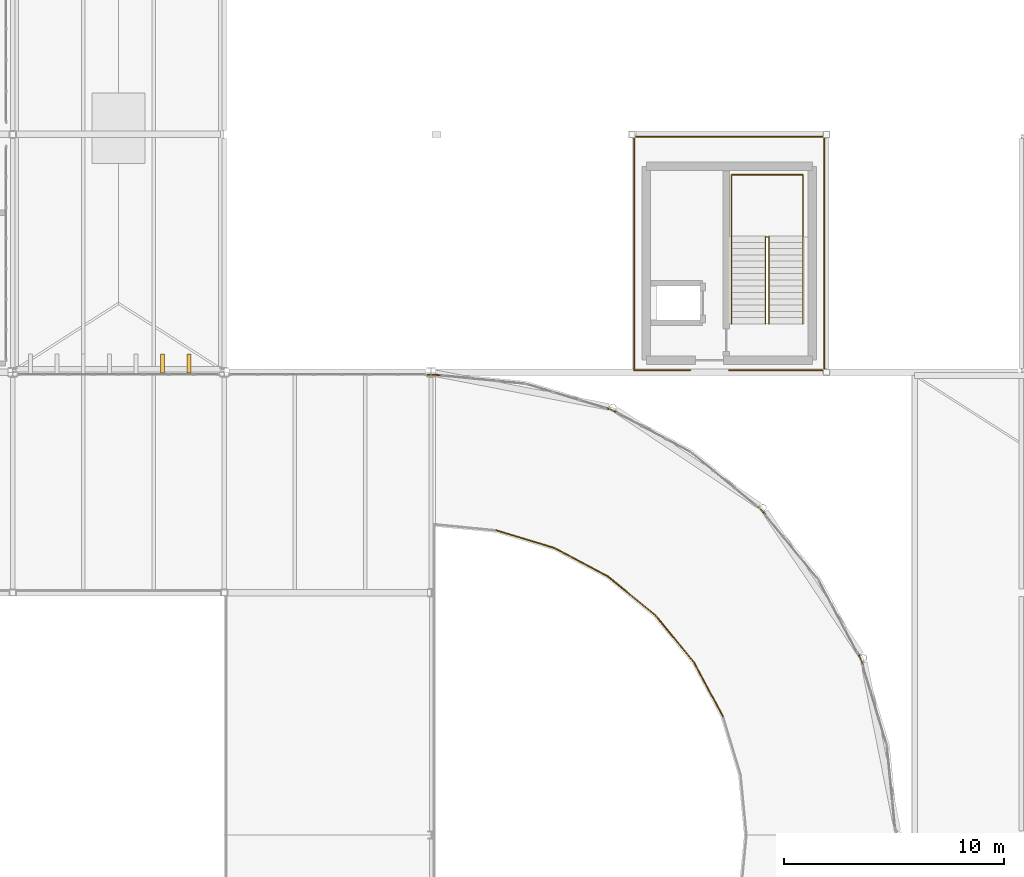
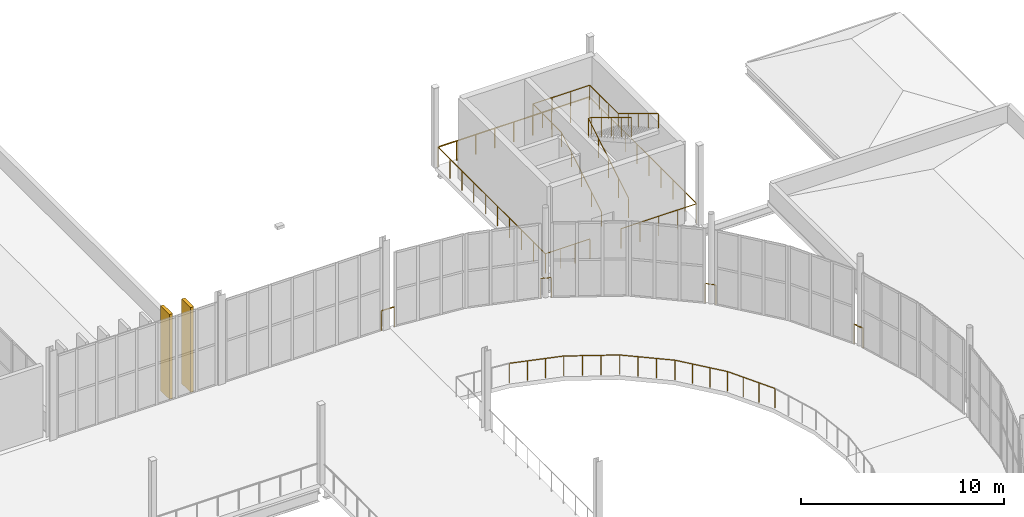
# One storey, part 112 of 112: 16 railings, 2 coverings.
"""IFC4 building model written with IfcOpenShell, lengths in metres."""

from ifc_helpers import new_model, si_unit, direction, frame, origin, origin_2d, place, context, subcontext, project, spatial, rectangle, circle, extrude, material, layer, layer_set, type_object, element, save


model = new_model("IFC4")

# Units and contexts
model_context = context("Model", 3, precision=1e-05, world=origin(), true_north=direction((0.0, 1.0)))
body_context = subcontext(model_context, "Body", "Model", "MODEL_VIEW")
ifc_project = project(units=[si_unit("LENGTHUNIT", "METRE"), si_unit("AREAUNIT", "SQUARE_METRE"), si_unit("VOLUMEUNIT", "CUBIC_METRE"), si_unit("PLANEANGLEUNIT", "RADIAN"), si_unit("MASSUNIT", "GRAM", prefix="KILO")], contexts=[model_context])

# Site, building, storey
site_placement = place(None, origin())
site = spatial("IfcSite", under=ifc_project, at=site_placement, CompositionType="ELEMENT")
building_placement = place(site_placement, origin())
building = spatial("IfcBuilding", under=site, at=building_placement, Name="Yeouljin Market Hall", CompositionType="ELEMENT")
storey_placement = place(building_placement, frame((0.0, 0.0, 6.0)))
storey = spatial("IfcBuildingStorey", under=building, at=storey_placement, Name="L01", CompositionType="ELEMENT", Elevation=6.0)

# Coverings
ifc_material_1 = material(Name="White Limestone and Bronze Solar Fin", Category="masonry")
ifc_layer = layer(ifc_material_1, 0.179931640625)
ifc_layer_set = layer_set([ifc_layer], Name="White Limestone and Bronze Solar Fin")
covering_type = type_object("IfcCoveringType", Name="Covering_Limestone_SolarFin", PredefinedType="CLADDING", material=ifc_layer_set)
for number, where, z_axis, x_axis, name in (
    (1, (128.60009765625, 78.39990234375, 0.009765625), (0.0, 0.0, 1.0), (1.0, 0.0, 0.0), "Hall north vertical lantern fin 078"),
    (2, (129.800048828125, 78.39990234375, 0.009765625), (0.0, 0.0, 1.0), (1.0, 0.0, 0.0), "Hall north vertical lantern fin 079"),
):
    element("IfcCovering", number, at=place(storey_placement, frame(where, z_axis=z_axis, x_axis=x_axis)), inside=storey, type_object=covering_type, Name=name, PredefinedType="CLADDING", context=body_context, shape_type="SweptSolid", body=[
        extrude(rectangle(XDim=0.179931640625, YDim=0.8798828125, at=origin_2d()), origin(), (0.0, 0.0, 1.0), 5.110107421875),
    ])

# Railings
ifc_material_2 = material(Name="Wrought Iron and Bronze Gallery Balustrade")
railing_type_1 = type_object("IfcRailingType", Name="Railing_AtriumBalustrade_1200", PredefinedType="BALUSTRADE", material=ifc_material_2)
railing_1_placement = place(storey_placement, frame((140.550048828125, 77.89990234375, 0.0)))
element("IfcRailing", 3, at=railing_1_placement, inside=storey, type_object=railing_type_1, Name="Gallery & deck edge balustrade L01-081", PredefinedType="BALUSTRADE", context=body_context, shape_type="SweptSolid", body=[
    extrude(circle(Radius=0.02392578125, at=origin_2d()), frame((0.0, 0.0, 1.17578125), z_axis=(0.999262160943, -0.038407469421, 0.0), x_axis=(0.038407469421, 0.999262160943, 0.0)), (0.0, 0.0, 1.0), 0.73095703125),
    extrude(circle(Radius=0.02099609375, at=origin_2d()), origin(), (0.0, 0.0, 1.0), 1.15185546875),
    extrude(circle(Radius=0.02099609375, at=origin_2d()), frame((0.73046875, -0.028076171875, 0.0)), (0.0, 0.0, 1.0), 1.15185546875),
])
railing_2_placement = place(storey_placement, frame((148.72802734375, 76.390380859375, 0.0)))
element("IfcRailing", 4, at=railing_2_placement, inside=storey, type_object=railing_type_1, Name="Gallery & deck edge balustrade L01-082", PredefinedType="BALUSTRADE", context=body_context, shape_type="SweptSolid", body=[
    extrude(circle(Radius=0.02392578125, at=origin_2d()), frame((0.0, 0.0, 1.17578125), z_axis=(0.924000932097, -0.382390216249, 0.0), x_axis=(0.382390216249, 0.924000932097, 0.0)), (0.0, 0.0, 1.0), 0.561279296875),
    extrude(circle(Radius=0.02099609375, at=origin_2d()), origin(), (0.0, 0.0, 1.0), 1.15185546875),
    extrude(circle(Radius=0.02099609375, at=origin_2d()), frame((0.5185546875, -0.214599609375, 0.0)), (0.0, 0.0, 1.0), 1.15185546875),
])
railing_3_placement = place(storey_placement, frame((155.560302734375, 71.95703125, 0.0)))
element("IfcRailing", 5, at=railing_3_placement, inside=storey, type_object=railing_type_1, Name="Gallery & deck edge balustrade L01-083", PredefinedType="BALUSTRADE", context=body_context, shape_type="SweptSolid", body=[
    extrude(circle(Radius=0.02392578125, at=origin_2d()), frame((0.0, 0.0, 1.17578125), z_axis=(0.707106781187, -0.707106781187, 0.0), x_axis=(0.707106781187, 0.707106781187, 0.0)), (0.0, 0.0, 1.0), 0.56103515625),
    extrude(circle(Radius=0.02099609375, at=origin_2d()), origin(), (0.0, 0.0, 1.0), 1.15185546875),
    extrude(circle(Radius=0.02099609375, at=origin_2d()), frame((0.396728515625, -0.396728515625, 0.0)), (0.0, 0.0, 1.0), 1.15185546875),
])
railing_4_placement = place(storey_placement, frame((160.17578125, 65.24658203125, 0.0)))
element("IfcRailing", 6, at=railing_4_placement, inside=storey, type_object=railing_type_1, Name="Gallery & deck edge balustrade L01-084", PredefinedType="BALUSTRADE", context=body_context, shape_type="SweptSolid", body=[
    extrude(circle(Radius=0.02392578125, at=origin_2d()), frame((0.0, 0.0, 1.17578125), z_axis=(0.382390216249, -0.924000932097, 0.0), x_axis=(0.924000932097, 0.382390216249, 0.0)), (0.0, 0.0, 1.0), 0.561279296875),
    extrude(circle(Radius=0.02099609375, at=origin_2d()), origin(), (0.0, 0.0, 1.0), 1.15185546875),
    extrude(circle(Radius=0.02099609375, at=origin_2d()), frame((0.214599609375, -0.5185546875, 0.0)), (0.0, 0.0, 1.0), 1.15185546875),
])
railing_5_placement = place(storey_placement, frame((154.027099609375, 62.39599609375, 0.0)))
element("IfcRailing", 7, at=railing_5_placement, inside=storey, type_object=railing_type_1, Name="Gallery & deck edge balustrade L01-110", PredefinedType="BALUSTRADE", context=body_context, shape_type="SweptSolid", body=[
    extrude(circle(Radius=0.02392578125, at=origin_2d()), frame((0.0, 0.0, 1.17578125), z_axis=(-0.471390300343, 0.88192470469, 0.0), x_axis=(-0.88192470469, -0.471390300343, 0.0)), (0.0, 0.0, 1.0), 2.76416015625),
    extrude(circle(Radius=0.02099609375, at=origin_2d()), origin(), (0.0, 0.0, 1.0), 1.15185546875),
    extrude(circle(Radius=0.02099609375, at=origin_2d()), frame((-0.434326171875, 0.8125, 0.0)), (0.0, 0.0, 1.0), 1.15185546875),
    extrude(circle(Radius=0.02099609375, at=origin_2d()), frame((-0.86865234375, 1.625244140625, 0.0)), (0.0, 0.0, 1.0), 1.15185546875),
    extrude(circle(Radius=0.02099609375, at=origin_2d()), frame((-1.302978515625, 2.437744140625, 0.0)), (0.0, 0.0, 1.0), 1.15185546875),
])
railing_6_placement = place(storey_placement, frame((152.72412109375, 64.833740234375, 0.0)))
element("IfcRailing", 8, at=railing_6_placement, inside=storey, type_object=railing_type_1, Name="Gallery & deck edge balustrade L01-111", PredefinedType="BALUSTRADE", context=body_context, shape_type="SweptSolid", body=[
    extrude(circle(Radius=0.02392578125, at=origin_2d()), frame((0.0, 0.0, 1.17578125), z_axis=(-0.634319318556, 0.773071149446, 0.0), x_axis=(-0.773071149446, -0.634319318556, 0.0)), (0.0, 0.0, 1.0), 2.76416015625),
    extrude(circle(Radius=0.02099609375, at=origin_2d()), origin(), (0.0, 0.0, 1.0), 1.15185546875),
    extrude(circle(Radius=0.02099609375, at=origin_2d()), frame((-0.58447265625, 0.71240234375, 0.0)), (0.0, 0.0, 1.0), 1.15185546875),
    extrude(circle(Radius=0.02099609375, at=origin_2d()), frame((-1.1689453125, 1.424560546875, 0.0)), (0.0, 0.0, 1.0), 1.15185546875),
    extrude(circle(Radius=0.02099609375, at=origin_2d()), frame((-1.75341796875, 2.136962890625, 0.0)), (0.0, 0.0, 1.0), 1.15185546875),
])
railing_7_placement = place(storey_placement, frame((150.970703125, 66.970703125, 0.0)))
element("IfcRailing", 9, at=railing_7_placement, inside=storey, type_object=railing_type_1, Name="Gallery & deck edge balustrade L01-112", PredefinedType="BALUSTRADE", context=body_context, shape_type="SweptSolid", body=[
    extrude(circle(Radius=0.02392578125, at=origin_2d()), frame((0.0, 0.0, 1.17578125), z_axis=(-0.773071149446, 0.634319318556, 0.0), x_axis=(-0.634319318556, -0.773071149446, 0.0)), (0.0, 0.0, 1.0), 2.76416015625),
    extrude(circle(Radius=0.02099609375, at=origin_2d()), origin(), (0.0, 0.0, 1.0), 1.15185546875),
    extrude(circle(Radius=0.02099609375, at=origin_2d()), frame((-0.71240234375, 0.58447265625, 0.0)), (0.0, 0.0, 1.0), 1.15185546875),
    extrude(circle(Radius=0.02099609375, at=origin_2d()), frame((-1.424560546875, 1.1689453125, 0.0)), (0.0, 0.0, 1.0), 1.15185546875),
    extrude(circle(Radius=0.02099609375, at=origin_2d()), frame((-2.136962890625, 1.75341796875, 0.0)), (0.0, 0.0, 1.0), 1.15185546875),
])
railing_8_placement = place(storey_placement, frame((148.833740234375, 68.72412109375, 0.0)))
element("IfcRailing", 10, at=railing_8_placement, inside=storey, type_object=railing_type_1, Name="Gallery & deck edge balustrade L01-113", PredefinedType="BALUSTRADE", context=body_context, shape_type="SweptSolid", body=[
    extrude(circle(Radius=0.02392578125, at=origin_2d()), frame((0.0, 0.0, 1.17578125), z_axis=(-0.88192470469, 0.471390300343, 0.0), x_axis=(-0.471390300343, -0.88192470469, 0.0)), (0.0, 0.0, 1.0), 2.76416015625),
    extrude(circle(Radius=0.02099609375, at=origin_2d()), origin(), (0.0, 0.0, 1.0), 1.15185546875),
    extrude(circle(Radius=0.02099609375, at=origin_2d()), frame((-0.8125, 0.434326171875, 0.0)), (0.0, 0.0, 1.0), 1.15185546875),
    extrude(circle(Radius=0.02099609375, at=origin_2d()), frame((-1.625244140625, 0.86865234375, 0.0)), (0.0, 0.0, 1.0), 1.15185546875),
    extrude(circle(Radius=0.02099609375, at=origin_2d()), frame((-2.437744140625, 1.302978515625, 0.0)), (0.0, 0.0, 1.0), 1.15185546875),
])
railing_9_placement = place(storey_placement, frame((146.39599609375, 70.027099609375, 0.0)))
element("IfcRailing", 11, at=railing_9_placement, inside=storey, type_object=railing_type_1, Name="Gallery & deck edge balustrade L01-114", PredefinedType="BALUSTRADE", context=body_context, shape_type="SweptSolid", body=[
    extrude(circle(Radius=0.02392578125, at=origin_2d()), frame((0.0, 0.0, 1.17578125), z_axis=(-0.956927035632, 0.290328518195, 0.0), x_axis=(-0.290328518195, -0.956927035632, 0.0)), (0.0, 0.0, 1.0), 2.76416015625),
    extrude(circle(Radius=0.02099609375, at=origin_2d()), origin(), (0.0, 0.0, 1.0), 1.15185546875),
    extrude(circle(Radius=0.02099609375, at=origin_2d()), frame((-0.881591796875, 0.267578125, 0.0)), (0.0, 0.0, 1.0), 1.15185546875),
    extrude(circle(Radius=0.02099609375, at=origin_2d()), frame((-1.763427734375, 0.534912109375, 0.0)), (0.0, 0.0, 1.0), 1.15185546875),
    extrude(circle(Radius=0.02099609375, at=origin_2d()), frame((-2.64501953125, 0.802490234375, 0.0)), (0.0, 0.0, 1.0), 1.15185546875),
])
railing_10_placement = place(storey_placement, frame((150.010009765625, 88.699951171875, 0.0)))
element("IfcRailing", 12, at=railing_10_placement, inside=storey, type_object=railing_type_1, Name="Gallery & deck edge balustrade L01-140", PredefinedType="BALUSTRADE", context=body_context, shape_type="SweptSolid", body=[
    extrude(circle(Radius=0.02392578125, at=origin_2d()), frame((0.0, 0.0, 1.17578125), z_axis=(1.0, 0.0, 0.0), x_axis=(0.0, 1.0, 0.0)), (0.0, 0.0, 1.0), 8.6298828125),
    extrude(circle(Radius=0.02099609375, at=origin_2d()), origin(), (0.0, 0.0, 1.0), 1.15185546875),
    extrude(circle(Radius=0.02099609375, at=origin_2d()), frame((1.07861328125, 0.0, 0.0)), (0.0, 0.0, 1.0), 1.15185546875),
    extrude(circle(Radius=0.02099609375, at=origin_2d()), frame((2.157470703125, 0.0, 0.0)), (0.0, 0.0, 1.0), 1.15185546875),
    extrude(circle(Radius=0.02099609375, at=origin_2d()), frame((3.236328125, 0.0, 0.0)), (0.0, 0.0, 1.0), 1.15185546875),
    extrude(circle(Radius=0.02099609375, at=origin_2d()), frame((4.31494140625, 0.0, 0.0)), (0.0, 0.0, 1.0), 1.15185546875),
    extrude(circle(Radius=0.02099609375, at=origin_2d()), frame((5.3935546875, 0.0, 0.0)), (0.0, 0.0, 1.0), 1.15185546875),
    extrude(circle(Radius=0.02099609375, at=origin_2d()), frame((6.472412109375, 0.0, 0.0)), (0.0, 0.0, 1.0), 1.15185546875),
    extrude(circle(Radius=0.02099609375, at=origin_2d()), frame((7.55126953125, 0.0, 0.0)), (0.0, 0.0, 1.0), 1.15185546875),
    extrude(circle(Radius=0.02099609375, at=origin_2d()), frame((8.6298828125, 0.0, 0.0)), (0.0, 0.0, 1.0), 1.15185546875),
])
railing_11_placement = place(storey_placement, frame((158.639892578125, 88.699951171875, 0.0)))
element("IfcRailing", 13, at=railing_11_placement, inside=storey, type_object=railing_type_1, Name="Gallery & deck edge balustrade L01-141", PredefinedType="BALUSTRADE", context=body_context, shape_type="SweptSolid", body=[
    extrude(circle(Radius=0.02392578125, at=origin_2d()), frame((0.0, 0.0, 1.17578125), z_axis=(0.0, -1.0, 0.0), x_axis=(1.0, 0.0, 0.0)), (0.0, 0.0, 1.0), 10.599853515625),
    extrude(circle(Radius=0.02099609375, at=origin_2d()), origin(), (0.0, 0.0, 1.0), 1.15185546875),
    extrude(circle(Radius=0.02099609375, at=origin_2d()), frame((0.0, -1.177734375, 0.0)), (0.0, 0.0, 1.0), 1.15185546875),
    extrude(circle(Radius=0.02099609375, at=origin_2d()), frame((0.0, -2.35546875, 0.0)), (0.0, 0.0, 1.0), 1.15185546875),
    extrude(circle(Radius=0.02099609375, at=origin_2d()), frame((0.0, -3.533203125, 0.0)), (0.0, 0.0, 1.0), 1.15185546875),
    extrude(circle(Radius=0.02099609375, at=origin_2d()), frame((0.0, -4.7109375, 0.0)), (0.0, 0.0, 1.0), 1.15185546875),
    extrude(circle(Radius=0.02099609375, at=origin_2d()), frame((0.0, -5.888916015625, 0.0)), (0.0, 0.0, 1.0), 1.15185546875),
    extrude(circle(Radius=0.02099609375, at=origin_2d()), frame((0.0, -7.066650390625, 0.0)), (0.0, 0.0, 1.0), 1.15185546875),
    extrude(circle(Radius=0.02099609375, at=origin_2d()), frame((0.0, -8.244384765625, 0.0)), (0.0, 0.0, 1.0), 1.15185546875),
    extrude(circle(Radius=0.02099609375, at=origin_2d()), frame((0.0, -9.422119140625, 0.0)), (0.0, 0.0, 1.0), 1.15185546875),
    extrude(circle(Radius=0.02099609375, at=origin_2d()), frame((0.0, -10.599853515625, 0.0)), (0.0, 0.0, 1.0), 1.15185546875),
])
railing_12_placement = place(storey_placement, frame((158.639892578125, 78.10009765625, 0.0)))
element("IfcRailing", 14, at=railing_12_placement, inside=storey, type_object=railing_type_1, Name="Gallery & deck edge balustrade L01-142", PredefinedType="BALUSTRADE", context=body_context, shape_type="SweptSolid", body=[
    extrude(circle(Radius=0.02392578125, at=origin_2d()), frame((0.0, 0.0, 1.17578125), z_axis=(-1.0, 0.0, 0.0), x_axis=(0.0, -1.0, 0.0)), (0.0, 0.0, 1.0), 4.328857421875),
    extrude(circle(Radius=0.02099609375, at=origin_2d()), origin(), (0.0, 0.0, 1.0), 1.15185546875),
    extrude(circle(Radius=0.02099609375, at=origin_2d()), frame((-1.082275390625, 0.0, 0.0)), (0.0, 0.0, 1.0), 1.15185546875),
    extrude(circle(Radius=0.02099609375, at=origin_2d()), frame((-2.16455078125, 0.0, 0.0)), (0.0, 0.0, 1.0), 1.15185546875),
    extrude(circle(Radius=0.02099609375, at=origin_2d()), frame((-3.24658203125, 0.0, 0.0)), (0.0, 0.0, 1.0), 1.15185546875),
    extrude(circle(Radius=0.02099609375, at=origin_2d()), frame((-4.328857421875, 0.0, 0.0)), (0.0, 0.0, 1.0), 1.15185546875),
])
railing_13_placement = place(storey_placement, frame((152.549072265625, 78.10009765625, 0.0)))
element("IfcRailing", 15, at=railing_13_placement, inside=storey, type_object=railing_type_1, Name="Gallery & deck edge balustrade L01-143", PredefinedType="BALUSTRADE", context=body_context, shape_type="SweptSolid", body=[
    extrude(circle(Radius=0.02392578125, at=origin_2d()), frame((0.0, 0.0, 1.17578125), z_axis=(-1.0, 0.0, 0.0), x_axis=(0.0, -1.0, 0.0)), (0.0, 0.0, 1.0), 2.5390625),
    extrude(circle(Radius=0.02099609375, at=origin_2d()), origin(), (0.0, 0.0, 1.0), 1.15185546875),
    extrude(circle(Radius=0.02099609375, at=origin_2d()), frame((-0.846435546875, 0.0, 0.0)), (0.0, 0.0, 1.0), 1.15185546875),
    extrude(circle(Radius=0.02099609375, at=origin_2d()), frame((-1.692626953125, 0.0, 0.0)), (0.0, 0.0, 1.0), 1.15185546875),
    extrude(circle(Radius=0.02099609375, at=origin_2d()), frame((-2.5390625, 0.0, 0.0)), (0.0, 0.0, 1.0), 1.15185546875),
])
railing_14_placement = place(storey_placement, frame((150.010009765625, 78.10009765625, 0.0)))
element("IfcRailing", 16, at=railing_14_placement, inside=storey, type_object=railing_type_1, Name="Gallery & deck edge balustrade L01-144", PredefinedType="BALUSTRADE", context=body_context, shape_type="SweptSolid", body=[
    extrude(circle(Radius=0.02392578125, at=origin_2d()), frame((0.0, 0.0, 1.17578125), z_axis=(0.0, 1.0, 0.0), x_axis=(-1.0, 0.0, 0.0)), (0.0, 0.0, 1.0), 10.599853515625),
    extrude(circle(Radius=0.02099609375, at=origin_2d()), origin(), (0.0, 0.0, 1.0), 1.15185546875),
    extrude(circle(Radius=0.02099609375, at=origin_2d()), frame((0.0, 1.177734375, 0.0)), (0.0, 0.0, 1.0), 1.15185546875),
    extrude(circle(Radius=0.02099609375, at=origin_2d()), frame((0.0, 2.35546875, 0.0)), (0.0, 0.0, 1.0), 1.15185546875),
    extrude(circle(Radius=0.02099609375, at=origin_2d()), frame((0.0, 3.533203125, 0.0)), (0.0, 0.0, 1.0), 1.15185546875),
    extrude(circle(Radius=0.02099609375, at=origin_2d()), frame((0.0, 4.7109375, 0.0)), (0.0, 0.0, 1.0), 1.15185546875),
    extrude(circle(Radius=0.02099609375, at=origin_2d()), frame((0.0, 5.888916015625, 0.0)), (0.0, 0.0, 1.0), 1.15185546875),
    extrude(circle(Radius=0.02099609375, at=origin_2d()), frame((0.0, 7.066650390625, 0.0)), (0.0, 0.0, 1.0), 1.15185546875),
    extrude(circle(Radius=0.02099609375, at=origin_2d()), frame((0.0, 8.244384765625, 0.0)), (0.0, 0.0, 1.0), 1.15185546875),
    extrude(circle(Radius=0.02099609375, at=origin_2d()), frame((0.0, 9.422119140625, 0.0)), (0.0, 0.0, 1.0), 1.15185546875),
    extrude(circle(Radius=0.02099609375, at=origin_2d()), frame((0.0, 10.599853515625, 0.0)), (0.0, 0.0, 1.0), 1.15185546875),
])
ifc_material_3 = material(Name="Painted Steel Stair Guardrail", Category="steel")
railing_type_2 = type_object("IfcRailingType", Name="Railing_StairGuard_1200", PredefinedType="GUARDRAIL", material=ifc_material_3)
railing_15_placement = place(storey_placement, frame((155.9599609375, 80.199951171875, 0.0)))
element("IfcRailing", 17, at=railing_15_placement, inside=storey, type_object=railing_type_2, Name="Stair ST-C4-L01 inner well guardrail", PredefinedType="GUARDRAIL", context=body_context, shape_type="SweptSolid", body=[
    extrude(circle(Radius=0.02392578125, at=origin_2d()), frame((0.0, 0.0, 1.17578125), z_axis=(0.0, 0.854622603422, 0.519249656446), x_axis=(-1.0, 0.0, 0.0)), (0.0, 0.0, 1.0), 4.621826171875),
    extrude(circle(Radius=0.02392578125, at=origin_2d()), frame((0.0, 3.949951171875, 3.57568359375), z_axis=(1.0, 0.0, 0.0), x_axis=(0.0, 1.0, 0.0)), (0.0, 0.0, 1.0), 0.16015625),
    extrude(circle(Radius=0.02392578125, at=origin_2d()), frame((0.16015625, 3.949951171875, 3.57568359375), z_axis=(0.0, -0.854599162348, 0.519288235679), x_axis=(1.0, 0.0, 0.0)), (0.0, 0.0, 1.0), 4.6220703125),
    extrude(circle(Radius=0.02099609375, at=origin_2d()), origin(), (0.0, 0.0, 1.0), 1.15185546875),
    extrude(circle(Radius=0.02099609375, at=origin_2d()), frame((0.0, 0.987548828125, 0.60009765625)), (0.0, 0.0, 1.0), 1.15185546875),
    extrude(circle(Radius=0.02099609375, at=origin_2d()), frame((0.0, 1.97509765625, 1.199951171875)), (0.0, 0.0, 1.0), 1.15185546875),
    extrude(circle(Radius=0.02099609375, at=origin_2d()), frame((0.0, 2.96240234375, 1.7998046875)), (0.0, 0.0, 1.0), 1.15185546875),
    extrude(circle(Radius=0.02099609375, at=origin_2d()), frame((0.0, 3.949951171875, 2.39990234375)), (0.0, 0.0, 1.0), 1.15185546875),
    extrude(circle(Radius=0.02099609375, at=origin_2d()), frame((0.16015625, 3.949951171875, 2.39990234375)), (0.0, 0.0, 1.0), 1.15185546875),
    extrude(circle(Radius=0.02099609375, at=origin_2d()), frame((0.16015625, 2.96240234375, 3.0)), (0.0, 0.0, 1.0), 1.15185546875),
    extrude(circle(Radius=0.02099609375, at=origin_2d()), frame((0.16015625, 1.97509765625, 3.60009765625)), (0.0, 0.0, 1.0), 1.15185546875),
    extrude(circle(Radius=0.02099609375, at=origin_2d()), frame((0.16015625, 0.987548828125, 4.199951171875)), (0.0, 0.0, 1.0), 1.15185546875),
    extrude(circle(Radius=0.02099609375, at=origin_2d()), frame((0.16015625, 0.0, 4.800048828125)), (0.0, 0.0, 1.0), 1.15185546875),
])
ifc_material_4 = material(Name="Brushed Stainless Steel", Category="steel")
railing_type_3 = type_object("IfcRailingType", Name="Railing_StairHandrail_900", PredefinedType="HANDRAIL", material=ifc_material_4)
railing_16_placement = place(storey_placement, frame((154.419921875, 80.199951171875, 0.0)))
element("IfcRailing", 18, at=railing_16_placement, inside=storey, type_object=railing_type_3, Name="Stair ST-C4-L01 wall handrail", PredefinedType="HANDRAIL", context=body_context, shape_type="SweptSolid", body=[
    extrude(circle(Radius=0.02392578125, at=origin_2d()), frame((0.0, 0.0, 0.8759765625), z_axis=(0.0, 0.854622603422, 0.519249656446), x_axis=(-1.0, 0.0, 0.0)), (0.0, 0.0, 1.0), 4.621826171875),
    extrude(circle(Radius=0.02392578125, at=origin_2d()), frame((0.0, 3.949951171875, 3.27587890625), z_axis=(0.0, 1.0, 0.0), x_axis=(-1.0, 0.0, 0.0)), (0.0, 0.0, 1.0), 2.820068359375),
    extrude(circle(Radius=0.02392578125, at=origin_2d()), frame((0.0, 6.77001953125, 3.27587890625), z_axis=(1.0, 0.0, 0.0), x_axis=(0.0, 1.0, 0.0)), (0.0, 0.0, 1.0), 3.239990234375),
    extrude(circle(Radius=0.02392578125, at=origin_2d()), frame((3.239990234375, 6.77001953125, 3.27587890625), z_axis=(0.0, -1.0, 0.0), x_axis=(1.0, 0.0, 0.0)), (0.0, 0.0, 1.0), 2.820068359375),
    extrude(circle(Radius=0.02392578125, at=origin_2d()), frame((3.239990234375, 3.949951171875, 3.27587890625), z_axis=(0.0, -0.854599162348, 0.519288235679), x_axis=(1.0, 0.0, 0.0)), (0.0, 0.0, 1.0), 4.6220703125),
    extrude(circle(Radius=0.02099609375, at=origin_2d()), origin(), (0.0, 0.0, 1.0), 0.851806640625),
    extrude(circle(Radius=0.02099609375, at=origin_2d()), frame((0.0, 0.987548828125, 0.60009765625)), (0.0, 0.0, 1.0), 0.851806640625),
    extrude(circle(Radius=0.02099609375, at=origin_2d()), frame((0.0, 1.97509765625, 1.199951171875)), (0.0, 0.0, 1.0), 0.851806640625),
    extrude(circle(Radius=0.02099609375, at=origin_2d()), frame((0.0, 2.96240234375, 1.7998046875)), (0.0, 0.0, 1.0), 0.851806640625),
    extrude(circle(Radius=0.02099609375, at=origin_2d()), frame((0.0, 3.949951171875, 2.39990234375)), (0.0, 0.0, 1.0), 0.851806640625),
    extrude(circle(Radius=0.02099609375, at=origin_2d()), frame((0.0, 4.889892578125, 2.39990234375)), (0.0, 0.0, 1.0), 0.851806640625),
    extrude(circle(Radius=0.02099609375, at=origin_2d()), frame((0.0, 5.830078125, 2.39990234375)), (0.0, 0.0, 1.0), 0.851806640625),
    extrude(circle(Radius=0.02099609375, at=origin_2d()), frame((0.0, 6.77001953125, 2.39990234375)), (0.0, 0.0, 1.0), 0.851806640625),
    extrude(circle(Radius=0.02099609375, at=origin_2d()), frame((1.080078125, 6.77001953125, 2.39990234375)), (0.0, 0.0, 1.0), 0.851806640625),
    extrude(circle(Radius=0.02099609375, at=origin_2d()), frame((2.159912109375, 6.77001953125, 2.39990234375)), (0.0, 0.0, 1.0), 0.851806640625),
    extrude(circle(Radius=0.02099609375, at=origin_2d()), frame((3.239990234375, 6.77001953125, 2.39990234375)), (0.0, 0.0, 1.0), 0.851806640625),
    extrude(circle(Radius=0.02099609375, at=origin_2d()), frame((3.239990234375, 5.830078125, 2.39990234375)), (0.0, 0.0, 1.0), 0.851806640625),
    extrude(circle(Radius=0.02099609375, at=origin_2d()), frame((3.239990234375, 4.889892578125, 2.39990234375)), (0.0, 0.0, 1.0), 0.851806640625),
    extrude(circle(Radius=0.02099609375, at=origin_2d()), frame((3.239990234375, 3.949951171875, 2.39990234375)), (0.0, 0.0, 1.0), 0.851806640625),
    extrude(circle(Radius=0.02099609375, at=origin_2d()), frame((3.239990234375, 2.96240234375, 3.0)), (0.0, 0.0, 1.0), 0.851806640625),
    extrude(circle(Radius=0.02099609375, at=origin_2d()), frame((3.239990234375, 1.97509765625, 3.60009765625)), (0.0, 0.0, 1.0), 0.851806640625),
    extrude(circle(Radius=0.02099609375, at=origin_2d()), frame((3.239990234375, 0.987548828125, 4.199951171875)), (0.0, 0.0, 1.0), 0.851806640625),
    extrude(circle(Radius=0.02099609375, at=origin_2d()), frame((3.239990234375, 0.0, 4.800048828125)), (0.0, 0.0, 1.0), 0.851806640625),
])

save(model, "model.ifc")
